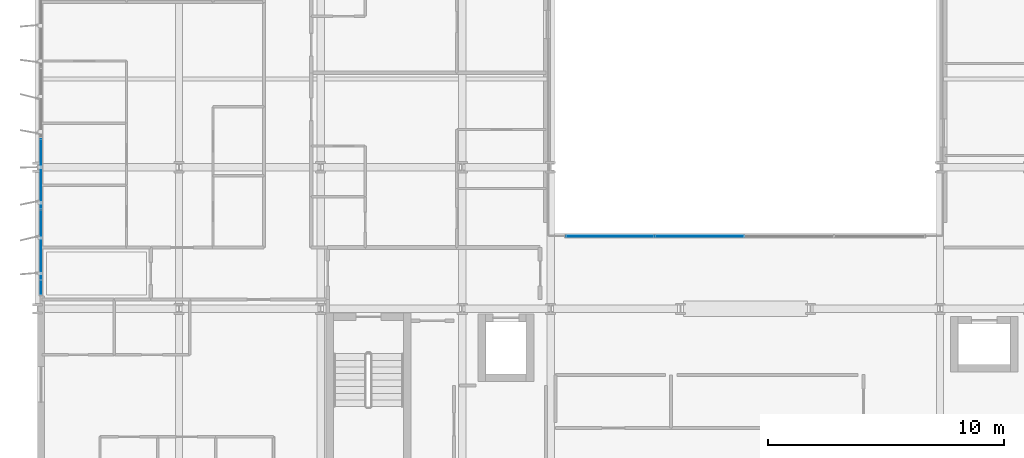
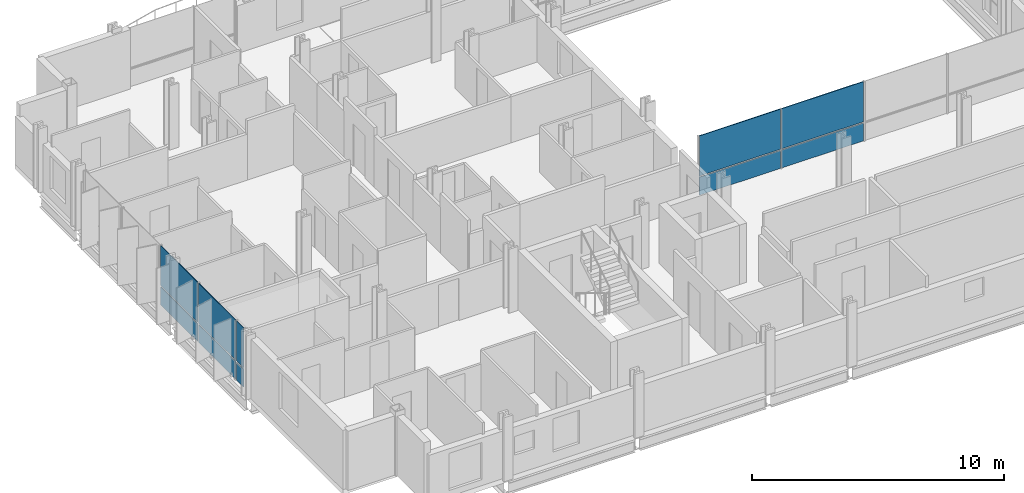
# One storey, part 22 of 39: 10 plates, 2 elements without a shape of their own.
"""IFC4 building model written with IfcOpenShell, lengths in metres."""

import ifcopenshell
import ifcopenshell.guid

model = None  # the IFC model being written
_history = None  # IfcOwnerHistory: only IFC2X3 demands one
_inside = {}  # id of a spatial element -> (the spatial element, [elements in it])
_under = {}  # id of a project, library or spatial element -> (it, [spatial elements below it])
_declared = {}  # id of a project -> (the project, [libraries it declares])
_typed = {}  # id of a type object -> (the type object, [elements of that type])
_made_of = {}  # id of a material, layer set ... -> (it, [elements and type objects made of it])


def new_model(schema):
    """Start an empty IFC model of exactly this schema.

    Asked for "IFC4X3", IfcOpenShell would pick the latest addendum, in which some entities
    have other attributes; the version numbers below select the first issue.
    IFC2X3 requires an IfcOwnerHistory on every rooted entity: one is made here for all.
    """
    global model, _history
    if schema == "IFC4X3":
        model = ifcopenshell.file(schema_version=(4, 3, 0, 0))
    else:
        model = ifcopenshell.file(schema=schema)
    _inside.clear()
    _under.clear()
    _declared.clear()
    _typed.clear()
    _made_of.clear()
    _history = None
    if model.schema == "IFC2X3":
        org = make("IfcOrganization", Name="unknown")
        user = make(
            "IfcPersonAndOrganization",
            ThePerson=make("IfcPerson", FamilyName="unknown"),
            TheOrganization=org,
        )
        app = make(
            "IfcApplication",
            ApplicationDeveloper=org,
            Version="unknown",
            ApplicationFullName="unknown",
            ApplicationIdentifier="unknown",
        )
        _history = make(
            "IfcOwnerHistory",
            OwningUser=user,
            OwningApplication=app,
            ChangeAction="ADDED",
            CreationDate=0,
        )
    return model


def make(cls, **values):
    """One entity of the class cls with the attributes given. An attribute that is None is left unset."""
    return model.create_entity(
        cls, **{name: value for name, value in values.items() if value is not None}
    )


def rooted(cls, **values):
    """An entity with a GlobalId (a new one), such as an element, a storey or a relation."""
    return make(cls, GlobalId=ifcopenshell.guid.new(), OwnerHistory=_history, **values)


def si_unit(unit_type, name, prefix=None):
    """IfcSIUnit, for example si_unit("LENGTHUNIT", "METRE", prefix="MILLI")."""
    return make("IfcSIUnit", UnitType=unit_type, Prefix=prefix, Name=name)


def assignment(units):
    """IfcUnitAssignment: the units of a project."""
    return None if units is None else make("IfcUnitAssignment", Units=units)


def point(xyz):
    """IfcCartesianPoint."""
    return None if xyz is None else make("IfcCartesianPoint", Coordinates=xyz)


def direction(xyz):
    """IfcDirection."""
    return None if xyz is None else make("IfcDirection", DirectionRatios=xyz)


def frame(location, z_axis=None, x_axis=None):
    """IfcAxis2Placement3D, a coordinate frame: its origin and axes. An axis left out is left unset."""
    return make(
        "IfcAxis2Placement3D",
        Location=point(location),
        Axis=direction(z_axis),
        RefDirection=direction(x_axis),
    )


def frame_2d(location, x_axis=None):
    """IfcAxis2Placement2D, a coordinate frame in the plane: its origin and x axis."""
    return make(
        "IfcAxis2Placement2D", Location=point(location), RefDirection=direction(x_axis)
    )


def origin():
    """The frame at (0, 0, 0) with its axes left unset."""
    return frame((0.0, 0.0, 0.0))


def origin_2d():
    """The frame at (0, 0) in the plane with its x axis left unset."""
    return frame_2d((0.0, 0.0))


def place(relative_to, where):
    """IfcLocalPlacement: puts the frame where relative to a parent placement (None: the world)."""
    return make(
        "IfcLocalPlacement", PlacementRelTo=relative_to, RelativePlacement=where
    )


def context(
    kind, dimensions, precision=None, world=None, true_north=None, identifier=None
):
    """IfcGeometricRepresentationContext, for example the 3D "Model" context."""
    return make(
        "IfcGeometricRepresentationContext",
        ContextIdentifier=identifier,
        ContextType=kind,
        CoordinateSpaceDimension=dimensions,
        Precision=precision,
        WorldCoordinateSystem=world,
        TrueNorth=true_north,
    )


def subcontext(parent, identifier, kind, view, scale=None):
    """IfcGeometricRepresentationSubContext, for example "Body" below "Model"."""
    return make(
        "IfcGeometricRepresentationSubContext",
        ContextIdentifier=identifier,
        ContextType=kind,
        ParentContext=parent,
        TargetScale=scale,
        TargetView=view,
    )


def project(units=None, contexts=None):
    """IfcProject with its units and contexts."""
    return rooted(
        "IfcProject",
        Name="project",
        RepresentationContexts=contexts,
        UnitsInContext=assignment(units),
    )


def spatial(cls, under=None, at=None, **own):
    """A site, building, storey or space (cls), placed at a placement, below another one or the project."""
    s = rooted(cls, ObjectPlacement=at, **own)
    if under is not None:
        _under.setdefault(under.id(), (under, []))[1].append(s)
    return s


def profile(cls, at=None, kind="AREA", **sizes):
    """A parametric profile (cls). Its sizes go by their IFC names, for example OverallWidth=200.0."""
    return make(cls, ProfileType=kind, Position=at, **sizes)


def rectangle(**sizes):
    """IfcRectangleProfileDef."""
    return profile("IfcRectangleProfileDef", **sizes)


def extrude(swept, where, along, depth):
    """IfcExtrudedAreaSolid: the profile swept, set in the frame where, extruded along a direction by depth."""
    return make(
        "IfcExtrudedAreaSolid",
        SweptArea=swept,
        Position=where,
        ExtrudedDirection=direction(along),
        Depth=depth,
    )


def shape(context_of_items, identifier, shape_type, items):
    """IfcShapeRepresentation: the items that make up one representation, for example the "Body"."""
    return make(
        "IfcShapeRepresentation",
        ContextOfItems=context_of_items,
        RepresentationIdentifier=identifier,
        RepresentationType=shape_type,
        Items=items,
    )


def material(Name=None, Category=None):
    """IfcMaterial."""
    return make("IfcMaterial", Name=Name, Category=Category)


def layer(
    of_material, thickness, ventilated=None, Name=None, Category=None, Priority=None
):
    """IfcMaterialLayer: one layer of a wall or slab, of a material (None: an air gap)."""
    return make(
        "IfcMaterialLayer",
        Material=of_material,
        LayerThickness=thickness,
        IsVentilated=ventilated,
        Name=Name,
        Category=Category,
        Priority=Priority,
    )


def layer_set(layers, Name=None):
    """IfcMaterialLayerSet."""
    return make("IfcMaterialLayerSet", MaterialLayers=layers, LayerSetName=Name)


def made_of(thing, what):
    """Note that an element or type object is made of a material, layer set ...; save() writes the relation."""
    if what is not None:
        _made_of.setdefault(what.id(), (what, []))[1].append(thing)
    return thing


def type_object(cls, material=None, **own):
    """A type object (cls), such as IfcWallType, which elements share."""
    return made_of(rooted(cls, **own), material)


def element(
    cls,
    number,
    at=None,
    inside=None,
    cuts=None,
    type_object=None,
    material=None,
    context=None,
    identifier="Body",
    shape_type=None,
    held_by="IfcProductDefinitionShape",
    body=None,
    shapes=None,
    **own,
):
    """One element of the class cls, such as IfcWall. Its Tag is "e" and its number.

    at: its placement. inside: the storey or other place that contains it. cuts: it is an
    opening in that element (IfcRelVoidsElement). A single representation is given by context,
    identifier, shape_type and body (its items); several are given by shapes. held_by: the class
    of the entity that holds the representations. save() writes the other relations.
    """
    e = rooted(cls, Tag="e%d" % number, ObjectPlacement=at, **own)
    if body is not None:
        shapes = [shape(context, identifier, shape_type, body)]
    if shapes is not None:
        e.Representation = make(held_by, Representations=shapes)
    if inside is not None:
        _inside.setdefault(inside.id(), (inside, []))[1].append(e)
    if cuts is not None:
        rooted(
            "IfcRelVoidsElement", RelatingBuildingElement=cuts, RelatedOpeningElement=e
        )
    if type_object is not None:
        _typed.setdefault(type_object.id(), (type_object, []))[1].append(e)
    return made_of(e, material)


def aggregate(whole, parts):
    """IfcRelAggregates: a whole, such as a stair, and the parts it consists of."""
    return rooted("IfcRelAggregates", RelatingObject=whole, RelatedObjects=parts)


def save(model, path):
    """Write the relations noted so far, then the file.

    IfcRelAggregates (storeys below a building ...), IfcRelContainedInSpatialStructure (elements
    in a storey), IfcRelDefinesByType, IfcRelAssociatesMaterial and IfcRelDeclares: one each for
    every whole, place, type object, material and project.
    """
    for whole, parts in _under.values():
        aggregate(whole, parts)
    for where, things in _inside.values():
        rooted(
            "IfcRelContainedInSpatialStructure",
            RelatedElements=things,
            RelatingStructure=where,
        )
    for kind, things in _typed.values():
        rooted("IfcRelDefinesByType", RelatedObjects=things, RelatingType=kind)
    for what, things in _made_of.values():
        rooted("IfcRelAssociatesMaterial", RelatedObjects=things, RelatingMaterial=what)
    for by, libraries in _declared.values():
        rooted("IfcRelDeclares", RelatingContext=by, RelatedDefinitions=libraries)
    model.write(path)


model = new_model("IFC4")

# Units and contexts
model_context = context("Model", 3, precision=1e-05, world=origin(), true_north=direction((0.0, 1.0)))
body_context = subcontext(model_context, "Body", "Model", "MODEL_VIEW")
ifc_project = project(units=[si_unit("LENGTHUNIT", "METRE"), si_unit("AREAUNIT", "SQUARE_METRE"), si_unit("VOLUMEUNIT", "CUBIC_METRE"), si_unit("PLANEANGLEUNIT", "RADIAN"), si_unit("MASSUNIT", "GRAM", prefix="KILO")], contexts=[model_context])

# Site, building, storey
site_placement = place(None, origin())
site = spatial("IfcSite", under=ifc_project, at=site_placement, CompositionType="ELEMENT")
building_placement = place(site_placement, origin())
building = spatial("IfcBuilding", under=site, at=building_placement, Name="Brevholm Reach", CompositionType="ELEMENT")
storey_placement = place(building_placement, frame((0.0, 0.0, 40.39990234375)))
storey = spatial("IfcBuildingStorey", under=building, at=storey_placement, Name="L10", CompositionType="ELEMENT", Elevation=40.39990234375)

# Curtain wall, plates
ifc_material_1 = material(Name="Dark Anodised Aluminium 6063-T6 and Solar-Control Glass", Category="aluminium")
ifc_layer_1 = layer(ifc_material_1, 0.14990234375)
ifc_layer_set_1 = layer_set([ifc_layer_1], Name="Dark Anodised Aluminium 6063-T6 and Solar-Control Glass")
curtain_wall_type_1 = type_object("IfcCurtainWallType", Name="CW-01", PredefinedType="NOTDEFINED", material=ifc_layer_set_1)
curtain_wall_1_placement = place(storey_placement, origin())
curtain_wall_1 = element("IfcCurtainWall", 1, at=curtain_wall_1_placement, inside=storey, type_object=curtain_wall_type_1, Name="L10 Curtain Wall CW-01", PredefinedType="NOTDEFINED")
ifc_material_2 = material(Name="Dark Solar-Control Double-Glazed IGU Glass", Category="glass")
ifc_layer_2 = layer(ifc_material_2, 0.028076171875)
ifc_layer_set_2 = layer_set([ifc_layer_2], Name="Dark Solar-Control Double-Glazed IGU Glass")
plate_type_1 = type_object("IfcPlateType", Name="CWP-GLZ-28", PredefinedType="CURTAIN_PANEL", material=ifc_layer_set_2)
plate_1_placement = place(storey_placement, frame((0.14990234375, 15.719970703125, 0.0), z_axis=(0.0, 0.0, 1.0), x_axis=(0.0, -1.0, 0.0)))
plate_1 = element("IfcPlate", 2, at=plate_1_placement, type_object=plate_type_1, Name="CP-01 Glazing Panel 3.1", PredefinedType="CURTAIN_PANEL", context=body_context, shape_type="SweptSolid", body=[
    extrude(rectangle(XDim=2.93505859375, YDim=0.028076171875, at=origin_2d()), origin(), (0.0, 0.0, 1.0), 0.867431640625),
])
plate_2_placement = place(storey_placement, frame((0.14990234375, 15.719970703125, 0.9326171875), z_axis=(0.0, 0.0, 1.0), x_axis=(0.0, -1.0, 0.0)))
plate_2 = element("IfcPlate", 3, at=plate_2_placement, type_object=plate_type_1, Name="CP-01 Glazing Panel 3.2", PredefinedType="CURTAIN_PANEL", context=body_context, shape_type="SweptSolid", body=[
    extrude(rectangle(XDim=2.93505859375, YDim=0.028076171875, at=origin_2d()), origin(), (0.0, 0.0, 1.0), 1.9375),
])
plate_3_placement = place(storey_placement, frame((0.14990234375, 12.719970703125, 0.0), z_axis=(0.0, 0.0, 1.0), x_axis=(0.0, -1.0, 0.0)))
plate_3 = element("IfcPlate", 4, at=plate_3_placement, type_object=plate_type_1, Name="CP-01 Glazing Panel 4.1", PredefinedType="CURTAIN_PANEL", context=body_context, shape_type="SweptSolid", body=[
    extrude(rectangle(XDim=2.93505859375, YDim=0.028076171875, at=origin_2d()), origin(), (0.0, 0.0, 1.0), 0.867431640625),
])
plate_4_placement = place(storey_placement, frame((0.14990234375, 12.719970703125, 0.9326171875), z_axis=(0.0, 0.0, 1.0), x_axis=(0.0, -1.0, 0.0)))
plate_4 = element("IfcPlate", 5, at=plate_4_placement, type_object=plate_type_1, Name="CP-01 Glazing Panel 4.2", PredefinedType="CURTAIN_PANEL", context=body_context, shape_type="SweptSolid", body=[
    extrude(rectangle(XDim=2.93505859375, YDim=0.028076171875, at=origin_2d()), origin(), (0.0, 0.0, 1.0), 1.9375),
])
plate_5_placement = place(storey_placement, frame((0.14990234375, 10.9013671875, 0.0), z_axis=(0.0, 0.0, 1.0), x_axis=(0.0, -1.0, 0.0)))
plate_5 = element("IfcPlate", 6, at=plate_5_placement, type_object=plate_type_1, Name="CP-01 Glazing Panel 5.1", PredefinedType="CURTAIN_PANEL", context=body_context, shape_type="SweptSolid", body=[
    extrude(rectangle(XDim=0.572509765625, YDim=0.028076171875, at=origin_2d()), origin(), (0.0, 0.0, 1.0), 0.867431640625),
])
plate_6_placement = place(storey_placement, frame((0.14990234375, 10.9013671875, 0.9326171875), z_axis=(0.0, 0.0, 1.0), x_axis=(0.0, -1.0, 0.0)))
plate_6 = element("IfcPlate", 7, at=plate_6_placement, type_object=plate_type_1, Name="CP-01 Glazing Panel 5.2", PredefinedType="CURTAIN_PANEL", context=body_context, shape_type="SweptSolid", body=[
    extrude(rectangle(XDim=0.572509765625, YDim=0.028076171875, at=origin_2d()), origin(), (0.0, 0.0, 1.0), 1.9375),
])
aggregate(curtain_wall_1, [plate_1, plate_2, plate_3, plate_4, plate_5, plate_6])

ifc_material_3 = material(Name="Dark Anodised Aluminium 6063-T6 and Solar-Control Glass", Category="aluminium")
ifc_layer_3 = layer(ifc_material_3, 0.139892578125)
ifc_layer_set_3 = layer_set([ifc_layer_3], Name="Dark Anodised Aluminium 6063-T6 and Solar-Control Glass")
curtain_wall_type_2 = type_object("IfcCurtainWallType", Name="CW-02", PredefinedType="NOTDEFINED", material=ifc_layer_set_3)
curtain_wall_2_placement = place(storey_placement, origin())
curtain_wall_2 = element("IfcCurtainWall", 8, at=curtain_wall_2_placement, inside=storey, type_object=curtain_wall_type_2, Name="L10 Curtain Wall CW-02", PredefinedType="NOTDEFINED")
ifc_material_4 = material(Name="Low-Iron Laminated Acoustic Glass", Category="glass")
ifc_layer_4 = layer(ifc_material_4, 0.035888671875)
ifc_layer_set_4 = layer_set([ifc_layer_4], Name="Low-Iron Laminated Acoustic Glass")
plate_type_2 = type_object("IfcPlateType", Name="CWP-GLZ-36", PredefinedType="CURTAIN_PANEL", material=ifc_layer_set_4)
plate_7_placement = place(storey_placement, frame((24.264892578125, 13.080078125, 0.0), z_axis=(0.0, 0.0, 1.0), x_axis=(1.0, 0.0, 0.0)))
plate_7 = element("IfcPlate", 9, at=plate_7_placement, type_object=plate_type_2, Name="CP-02 Glazing Panel 1.1", PredefinedType="CURTAIN_PANEL", context=body_context, shape_type="SweptSolid", body=[
    extrude(rectangle(XDim=3.7099609375, YDim=0.035888671875, at=origin_2d()), origin(), (0.0, 0.0, 1.0), 0.8701171875),
])
plate_8_placement = place(storey_placement, frame((24.264892578125, 13.080078125, 0.93017578125), z_axis=(0.0, 0.0, 1.0), x_axis=(1.0, 0.0, 0.0)))
plate_8 = element("IfcPlate", 10, at=plate_8_placement, type_object=plate_type_2, Name="CP-02 Glazing Panel 1.2", PredefinedType="CURTAIN_PANEL", context=body_context, shape_type="SweptSolid", body=[
    extrude(rectangle(XDim=3.7099609375, YDim=0.035888671875, at=origin_2d()), origin(), (0.0, 0.0, 1.0), 1.93994140625),
])
plate_9_placement = place(storey_placement, frame((28.050048828125, 13.080078125, 0.0), z_axis=(0.0, 0.0, 1.0), x_axis=(1.0, 0.0, 0.0)))
plate_9 = element("IfcPlate", 11, at=plate_9_placement, type_object=plate_type_2, Name="CP-02 Glazing Panel 2.1", PredefinedType="CURTAIN_PANEL", context=body_context, shape_type="SweptSolid", body=[
    extrude(rectangle(XDim=3.739990234375, YDim=0.035888671875, at=origin_2d()), origin(), (0.0, 0.0, 1.0), 0.8701171875),
])
plate_10_placement = place(storey_placement, frame((28.050048828125, 13.080078125, 0.93017578125), z_axis=(0.0, 0.0, 1.0), x_axis=(1.0, 0.0, 0.0)))
plate_10 = element("IfcPlate", 12, at=plate_10_placement, type_object=plate_type_2, Name="CP-02 Glazing Panel 2.2", PredefinedType="CURTAIN_PANEL", context=body_context, shape_type="SweptSolid", body=[
    extrude(rectangle(XDim=3.739990234375, YDim=0.035888671875, at=origin_2d()), origin(), (0.0, 0.0, 1.0), 1.93994140625),
])
aggregate(curtain_wall_2, [plate_7, plate_8, plate_9, plate_10])

save(model, "model.ifc")
